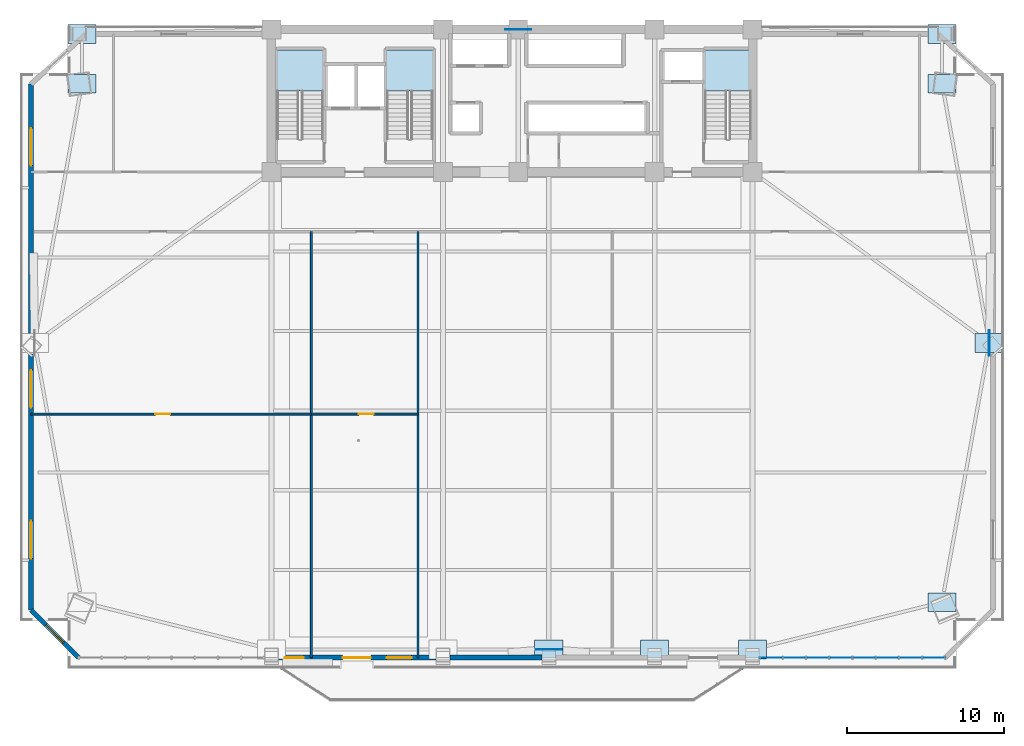
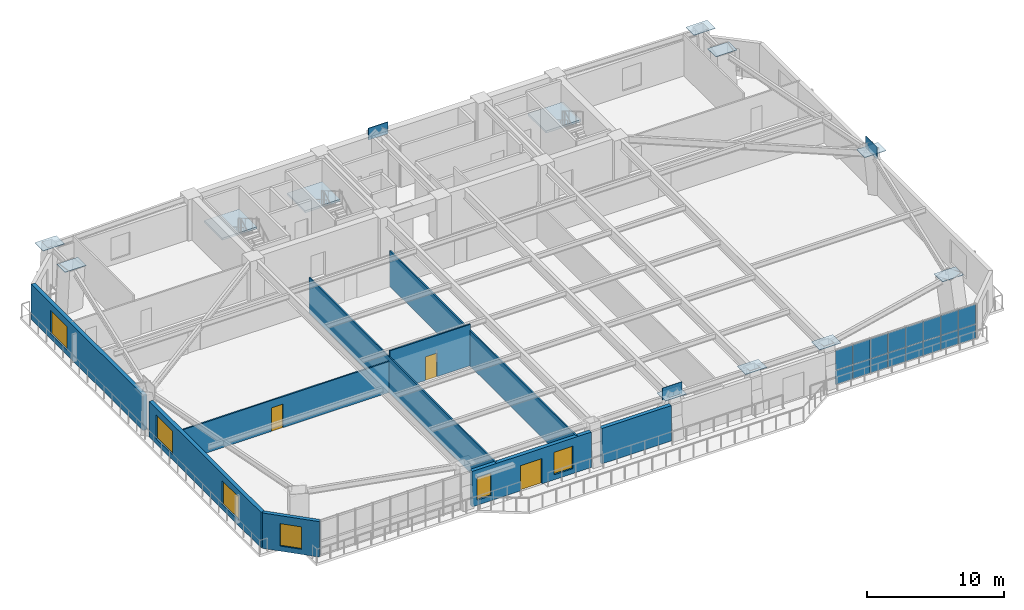
# One storey, part 7 of 15: 28 plates, 9 walls, 6 windows, 3 doors, 3 slabs, 9 openings, 4 elements without a shape of their own.
"""IFC4 building model written with IfcOpenShell, lengths in metres."""

from ifc_helpers import new_model, si_unit, direction, frame, frame_2d, origin, origin_2d, place, context, subcontext, project, spatial, polyline, rectangle, outline, extrude, source, transform, mapped, material, layer, layer_set, type_object, element, fill, aggregate, save


model = new_model("IFC4")

# Units and contexts
model_context = context("Model", 3, precision=1e-05, world=origin(), true_north=direction((0.0, 1.0)))
body_context = subcontext(model_context, "Body", "Model", "MODEL_VIEW")
ifc_project = project(units=[si_unit("LENGTHUNIT", "METRE"), si_unit("AREAUNIT", "SQUARE_METRE"), si_unit("VOLUMEUNIT", "CUBIC_METRE"), si_unit("PLANEANGLEUNIT", "RADIAN"), si_unit("MASSUNIT", "GRAM", prefix="KILO")], contexts=[model_context])

# Site, building, storey
site_placement = place(None, origin())
site = spatial("IfcSite", under=ifc_project, at=site_placement, CompositionType="ELEMENT")
building_placement = place(site_placement, origin())
building = spatial("IfcBuilding", under=site, at=building_placement, Name="Giltprow Tower", CompositionType="ELEMENT")
storey_placement = place(building_placement, frame((0.0, 0.0, 107.5)))
storey = spatial("IfcBuildingStorey", under=building, at=storey_placement, Name="L26", CompositionType="ELEMENT", Elevation=107.5)

# Stair, slab
ifc_material_1 = material(Name="Concrete C40", Category="concrete")
stair_type_1 = type_object("IfcStairType", Name="STR-ST-1", PredefinedType="HALF_TURN_STAIR", material=ifc_material_1)
stair_1_placement = place(storey_placement, origin())
stair_1 = element("IfcStair", 1, at=stair_1_placement, inside=storey, type_object=stair_type_1, Name="L26 Core Exit Stair ST-1", PredefinedType="HALF_TURN_STAIR")
ifc_layer_1 = layer(ifc_material_1, 0.179931640625, Name="Concrete C40")
ifc_layer_set_1 = layer_set([ifc_layer_1], Name="Concrete C40")
slab_type_1 = type_object("IfcSlabType", Name="SLD-ST-1", PredefinedType="LANDING", material=ifc_layer_set_1)
slab_1_placement = place(storey_placement, frame((0.0, 0.0, 1.77001953125)))
slab_1 = element("IfcSlab", 2, at=slab_1_placement, type_object=slab_type_1, Name="ST-1 landing 1", PredefinedType="LANDING", context=body_context, shape_type="SweptSolid", body=[
    extrude(outline(polyline([(23.159912109375, 42.6298828125), (23.159912109375, 45.25), (20.199951171875, 45.25), (20.199951171875, 42.6298828125), (23.159912109375, 42.6298828125)])), origin(), (0.0, 0.0, 1.0), 0.179931640625),
])
aggregate(stair_1, [slab_1])

stair_type_2 = type_object("IfcStairType", Name="STR-ST-2", PredefinedType="HALF_TURN_STAIR", material=ifc_material_1)
stair_2_placement = place(storey_placement, origin())
stair_2 = element("IfcStair", 3, at=stair_2_placement, inside=storey, type_object=stair_type_2, Name="L26 Core Exit Stair ST-2", PredefinedType="HALF_TURN_STAIR")
ifc_layer_2 = layer(ifc_material_1, 0.18798828125, Name="Concrete C40")
ifc_layer_set_2 = layer_set([ifc_layer_2], Name="Concrete C40")
slab_type_2 = type_object("IfcSlabType", Name="SLD-ST-2", PredefinedType="LANDING", material=ifc_layer_set_2)
slab_2_placement = place(storey_placement, frame((0.0, 0.0, 1.761962890625)))
slab_2 = element("IfcSlab", 4, at=slab_2_placement, type_object=slab_type_2, Name="ST-2 landing 1", PredefinedType="LANDING", context=body_context, shape_type="SweptSolid", body=[
    extrude(outline(polyline([(30.159912109375, 42.6298828125), (30.159912109375, 45.25), (27.199951171875, 45.25), (27.199951171875, 42.6298828125), (30.159912109375, 42.6298828125)])), origin(), (0.0, 0.0, 1.0), 0.18798828125),
])
aggregate(stair_2, [slab_2])

stair_type_3 = type_object("IfcStairType", Name="STR-ST-3", PredefinedType="HALF_TURN_STAIR", material=ifc_material_1)
stair_3_placement = place(storey_placement, origin())
stair_3 = element("IfcStair", 5, at=stair_3_placement, inside=storey, type_object=stair_type_3, Name="L26 Core Exit Stair ST-3", PredefinedType="HALF_TURN_STAIR")
ifc_layer_3 = layer(ifc_material_1, 0.196044921875, Name="Concrete C40")
ifc_layer_set_3 = layer_set([ifc_layer_3], Name="Concrete C40")
slab_type_3 = type_object("IfcSlabType", Name="SLD-ST-3", PredefinedType="LANDING", material=ifc_layer_set_3)
slab_3_placement = place(storey_placement, frame((0.0, 0.0, 1.75390625)))
slab_3 = element("IfcSlab", 6, at=slab_3_placement, type_object=slab_type_3, Name="ST-3 landing 1", PredefinedType="LANDING", context=body_context, shape_type="SweptSolid", body=[
    extrude(outline(polyline([(50.4599609375, 42.6298828125), (50.4599609375, 45.25), (47.5, 45.25), (47.5, 42.6298828125), (50.4599609375, 42.6298828125)])), origin(), (0.0, 0.0, 1.0), 0.196044921875),
])
aggregate(stair_3, [slab_3])

# Plates
ifc_material_2 = material(Name="Structural steel Q420GJC", Category="steel")
plate_type_1 = type_object("IfcPlateType", Name="PLT-NODE-CKN1", PredefinedType="USERDEFINED", material=ifc_material_2)
shared_shape_1 = source(origin(), body_context, "Body", "SweptSolid", [
    extrude(rectangle(XDim=1.800048828125, YDim=1.199951171875, at=origin_2d()), origin(), (0.0, 0.0, 1.0), 0.044921875),
])
for number, where, z_axis, x_axis, name in (
    (7, (62.638916015625, 10.007080078125, 3.637451171875), (0.0, 0.0, 1.0), (1.0, 0.0, 0.0), "CKN1 Column Taper Splice Node L26-MC_SE"),
    (8, (7.760986328125, 43.0830078125, 3.637451171875), (0.0, 0.0, 1.0), (1.0, 0.0, 0.0), "CKN1 Column Taper Splice Node L26-MC_NW"),
    (9, (62.638916015625, 43.0830078125, 3.637451171875), (0.0, 0.0, 1.0), (1.0, 0.0, 0.0), "CKN1 Column Taper Splice Node L26-MC_NE"),
    (10, (37.550048828125, 6.989990234375, 3.637451171875), (0.0, 0.0, 1.0), (1.0, 0.0, 0.0), "CKN1 Column Taper Splice Node L26-S_MID"),
    (11, (44.300048828125, 6.989990234375, 3.637451171875), (0.0, 0.0, 1.0), (1.0, 0.0, 0.0), "CKN1 Column Taper Splice Node L26-S3"),
    (12, (50.550048828125, 6.989990234375, 3.637451171875), (0.0, 0.0, 1.0), (1.0, 0.0, 0.0), "CKN1 Column Taper Splice Node L26-S4"),
    (13, (65.656005859375, 26.544921875, 3.637451171875), (0.0, 0.0, 1.0), (1.0, 0.0, 0.0), "CKN1 Column Taper Splice Node L26-E_MID"),
    (14, (7.760986328125, 46.25, 3.637451171875), (0.0, 0.0, 1.0), (1.0, 0.0, 0.0), "CKN1 Column Taper Splice Node L26-N_W"),
    (15, (62.638916015625, 46.25, 3.637451171875), (0.0, 0.0, 1.0), (1.0, 0.0, 0.0), "CKN1 Column Taper Splice Node L26-N_E"),
):
    element("IfcPlate", number, at=place(storey_placement, frame(where, z_axis=z_axis, x_axis=x_axis)), inside=storey, type_object=plate_type_1, Name=name, ObjectType="SPLICE", PredefinedType="USERDEFINED", context=body_context, shape_type="MappedRepresentation", body=[
        mapped(shared_shape_1, transform((0.0, 0.0, 0.0), x_axis=(1.0, 0.0, 0.0), y_axis=(0.0, 1.0, 0.0), z_axis=(0.0, 0.0, 1.0), scale=1.0)),
    ])
plate_type_2 = type_object("IfcPlateType", Name="PLT-NODE-MBN2", PredefinedType="USERDEFINED", material=ifc_material_2)
shared_shape_2 = source(origin(), body_context, "Body", "SweptSolid", [
    extrude(rectangle(XDim=1.64990234375, YDim=0.044921875, at=origin_2d()), origin(), (0.0, 0.0, 1.0), 1.050048828125),
])
for number, where, z_axis, x_axis, name in (
    (16, (37.550048828125, 6.989990234375, 3.375), (0.0, 0.0, 1.0), (1.0, 0.0, 0.0), "Mega-Brace Node L26-S-LB"),
    (17, (35.60009765625, 46.550048828125, 3.23486328125), (0.0, 0.0, 1.0), (1.0, 0.0, 0.0), "Mega-Brace Node L26-N-LB"),
    (18, (65.656005859375, 26.544921875, 3.375), (0.0, 0.0, 1.0), (0.0, 1.0, 0.0), "Mega-Brace Node L26-E-RB"),
):
    element("IfcPlate", number, at=place(storey_placement, frame(where, z_axis=z_axis, x_axis=x_axis)), inside=storey, type_object=plate_type_2, Name=name, ObjectType="GUSSET", PredefinedType="USERDEFINED", context=body_context, shape_type="MappedRepresentation", body=[
        mapped(shared_shape_2, transform((0.0, 0.0, 0.0), x_axis=(1.0, 0.0, 0.0), y_axis=(0.0, 1.0, 0.0), z_axis=(0.0, 0.0, 1.0), scale=1.0)),
    ])

# Curtain wall, plates
ifc_material_3 = material(Name="Anodized bronze", Category="metal")
ifc_layer_4 = layer(ifc_material_3, 0.179931640625, Name="Anodized bronze")
ifc_layer_set_4 = layer_set([ifc_layer_4], Name="Anodized bronze")
curtain_wall_type = type_object("IfcCurtainWallType", Name="CW-OFF-RECESSED", PredefinedType="NOTDEFINED", material=ifc_layer_set_4)
curtain_wall_placement = place(storey_placement, origin())
curtain_wall = element("IfcCurtainWall", 19, at=curtain_wall_placement, inside=storey, type_object=curtain_wall_type, Name="L26 South Recessed Curtain Wall 6", PredefinedType="NOTDEFINED")
ifc_material_4 = material(Name="Insulated glass", Category="glass")
plate_type_3 = type_object("IfcPlateType", Name="CW-PANEL-IGU-28", PredefinedType="CURTAIN_PANEL", material=ifc_material_4)
shared_shape_3 = source(origin(), body_context, "Body", "SweptSolid", [
    extrude(rectangle(XDim=1.450927734375, YDim=0.028076171875, at=origin_2d()), origin(), (0.0, 0.0, 1.0), 1.259033203125),
])
plate_1_placement = place(storey_placement, frame((51.739990234375, 6.4619140625, 0.0546875), z_axis=(0.0, 0.0, 1.0), x_axis=(1.0, 0.0, 0.0)))
plate_1 = element("IfcPlate", 20, at=plate_1_placement, type_object=plate_type_3, Name="L26 South Recessed Curtain Wall 6 Glazing Panel 1-1", PredefinedType="CURTAIN_PANEL", context=body_context, shape_type="MappedRepresentation", body=[
    mapped(shared_shape_3, transform((0.0, 0.0, 0.0), x_axis=(1.0, 0.0, 0.0), y_axis=(0.0, 1.0, 0.0), z_axis=(0.0, 0.0, 1.0), scale=1.0)),
])
plate_2_placement = place(storey_placement, frame((53.220947265625, 6.4619140625, 0.0546875), z_axis=(0.0, 0.0, 1.0), x_axis=(1.0, 0.0, 0.0)))
plate_2 = element("IfcPlate", 21, at=plate_2_placement, type_object=plate_type_3, Name="L26 South Recessed Curtain Wall 6 Glazing Panel 2-1", PredefinedType="CURTAIN_PANEL", context=body_context, shape_type="MappedRepresentation", body=[
    mapped(shared_shape_3, transform((0.0, 0.0, 0.0), x_axis=(1.0, 0.0, 0.0), y_axis=(0.0, 1.0, 0.0), z_axis=(0.0, 0.0, 1.0), scale=1.0)),
])
plate_3_placement = place(storey_placement, frame((54.702880859375, 6.4619140625, 0.0546875), z_axis=(0.0, 0.0, 1.0), x_axis=(1.0, 0.0, 0.0)))
plate_3 = element("IfcPlate", 22, at=plate_3_placement, type_object=plate_type_3, Name="L26 South Recessed Curtain Wall 6 Glazing Panel 3-1", PredefinedType="CURTAIN_PANEL", context=body_context, shape_type="MappedRepresentation", body=[
    mapped(shared_shape_3, transform((0.0, 0.0, 0.0), x_axis=(1.0, 0.0, 0.0), y_axis=(0.0, 1.0, 0.0), z_axis=(0.0, 0.0, 1.0), scale=1.0)),
])
plate_4_placement = place(storey_placement, frame((56.18408203125, 6.4619140625, 0.0546875), z_axis=(0.0, 0.0, 1.0), x_axis=(1.0, 0.0, 0.0)))
plate_4 = element("IfcPlate", 23, at=plate_4_placement, type_object=plate_type_3, Name="L26 South Recessed Curtain Wall 6 Glazing Panel 4-1", PredefinedType="CURTAIN_PANEL", context=body_context, shape_type="MappedRepresentation", body=[
    mapped(shared_shape_3, transform((0.0, 0.0, 0.0), x_axis=(1.0, 0.0, 0.0), y_axis=(0.0, 1.0, 0.0), z_axis=(0.0, 0.0, 1.0), scale=1.0)),
])
plate_5_placement = place(storey_placement, frame((57.6640625, 6.4619140625, 0.0546875), z_axis=(0.0, 0.0, 1.0), x_axis=(1.0, 0.0, 0.0)))
plate_5 = element("IfcPlate", 24, at=plate_5_placement, type_object=plate_type_3, Name="L26 South Recessed Curtain Wall 6 Glazing Panel 5-1", PredefinedType="CURTAIN_PANEL", context=body_context, shape_type="MappedRepresentation", body=[
    mapped(shared_shape_3, transform((0.0, 0.0, 0.0), x_axis=(1.0, 0.0, 0.0), y_axis=(0.0, 1.0, 0.0), z_axis=(0.0, 0.0, 1.0), scale=1.0)),
])
plate_6_placement = place(storey_placement, frame((59.14501953125, 6.4619140625, 0.0546875), z_axis=(0.0, 0.0, 1.0), x_axis=(1.0, 0.0, 0.0)))
plate_6 = element("IfcPlate", 25, at=plate_6_placement, type_object=plate_type_3, Name="L26 South Recessed Curtain Wall 6 Glazing Panel 6-1", PredefinedType="CURTAIN_PANEL", context=body_context, shape_type="MappedRepresentation", body=[
    mapped(shared_shape_3, transform((0.0, 0.0, 0.0), x_axis=(1.0, 0.0, 0.0), y_axis=(0.0, 1.0, 0.0), z_axis=(0.0, 0.0, 1.0), scale=1.0)),
])
plate_7_placement = place(storey_placement, frame((60.626953125, 6.4619140625, 0.0546875), z_axis=(0.0, 0.0, 1.0), x_axis=(1.0, 0.0, 0.0)))
plate_7 = element("IfcPlate", 26, at=plate_7_placement, type_object=plate_type_3, Name="L26 South Recessed Curtain Wall 6 Glazing Panel 7-1", PredefinedType="CURTAIN_PANEL", context=body_context, shape_type="MappedRepresentation", body=[
    mapped(shared_shape_3, transform((0.0, 0.0, 0.0), x_axis=(1.0, 0.0, 0.0), y_axis=(0.0, 1.0, 0.0), z_axis=(0.0, 0.0, 1.0), scale=1.0)),
])
plate_8_placement = place(storey_placement, frame((62.10791015625, 6.4619140625, 0.0546875), z_axis=(0.0, 0.0, 1.0), x_axis=(1.0, 0.0, 0.0)))
plate_8 = element("IfcPlate", 27, at=plate_8_placement, type_object=plate_type_3, Name="L26 South Recessed Curtain Wall 6 Glazing Panel 8-1", PredefinedType="CURTAIN_PANEL", context=body_context, shape_type="MappedRepresentation", body=[
    mapped(shared_shape_3, transform((0.0, 0.0, 0.0), x_axis=(1.0, 0.0, 0.0), y_axis=(0.0, 1.0, 0.0), z_axis=(0.0, 0.0, 1.0), scale=1.0)),
])
shared_shape_4 = source(origin(), body_context, "Body", "SweptSolid", [
    extrude(rectangle(XDim=1.450927734375, YDim=0.028076171875, at=origin_2d()), origin(), (0.0, 0.0, 1.0), 1.764892578125),
])
plate_9_placement = place(storey_placement, frame((51.739990234375, 6.4619140625, 1.341796875), z_axis=(0.0, 0.0, 1.0), x_axis=(1.0, 0.0, 0.0)))
plate_9 = element("IfcPlate", 28, at=plate_9_placement, type_object=plate_type_3, Name="L26 South Recessed Curtain Wall 6 Glazing Panel 1-2", PredefinedType="CURTAIN_PANEL", context=body_context, shape_type="MappedRepresentation", body=[
    mapped(shared_shape_4, transform((0.0, 0.0, 0.0), x_axis=(1.0, 0.0, 0.0), y_axis=(0.0, 1.0, 0.0), z_axis=(0.0, 0.0, 1.0), scale=1.0)),
])
plate_10_placement = place(storey_placement, frame((53.220947265625, 6.4619140625, 1.341796875), z_axis=(0.0, 0.0, 1.0), x_axis=(1.0, 0.0, 0.0)))
plate_10 = element("IfcPlate", 29, at=plate_10_placement, type_object=plate_type_3, Name="L26 South Recessed Curtain Wall 6 Glazing Panel 2-2", PredefinedType="CURTAIN_PANEL", context=body_context, shape_type="MappedRepresentation", body=[
    mapped(shared_shape_4, transform((0.0, 0.0, 0.0), x_axis=(1.0, 0.0, 0.0), y_axis=(0.0, 1.0, 0.0), z_axis=(0.0, 0.0, 1.0), scale=1.0)),
])
plate_11_placement = place(storey_placement, frame((54.702880859375, 6.4619140625, 1.341796875), z_axis=(0.0, 0.0, 1.0), x_axis=(1.0, 0.0, 0.0)))
plate_11 = element("IfcPlate", 30, at=plate_11_placement, type_object=plate_type_3, Name="L26 South Recessed Curtain Wall 6 Glazing Panel 3-2", PredefinedType="CURTAIN_PANEL", context=body_context, shape_type="MappedRepresentation", body=[
    mapped(shared_shape_4, transform((0.0, 0.0, 0.0), x_axis=(1.0, 0.0, 0.0), y_axis=(0.0, 1.0, 0.0), z_axis=(0.0, 0.0, 1.0), scale=1.0)),
])
plate_12_placement = place(storey_placement, frame((56.18408203125, 6.4619140625, 1.341796875), z_axis=(0.0, 0.0, 1.0), x_axis=(1.0, 0.0, 0.0)))
plate_12 = element("IfcPlate", 31, at=plate_12_placement, type_object=plate_type_3, Name="L26 South Recessed Curtain Wall 6 Glazing Panel 4-2", PredefinedType="CURTAIN_PANEL", context=body_context, shape_type="MappedRepresentation", body=[
    mapped(shared_shape_4, transform((0.0, 0.0, 0.0), x_axis=(1.0, 0.0, 0.0), y_axis=(0.0, 1.0, 0.0), z_axis=(0.0, 0.0, 1.0), scale=1.0)),
])
plate_13_placement = place(storey_placement, frame((57.6640625, 6.4619140625, 1.341796875), z_axis=(0.0, 0.0, 1.0), x_axis=(1.0, 0.0, 0.0)))
plate_13 = element("IfcPlate", 32, at=plate_13_placement, type_object=plate_type_3, Name="L26 South Recessed Curtain Wall 6 Glazing Panel 5-2", PredefinedType="CURTAIN_PANEL", context=body_context, shape_type="MappedRepresentation", body=[
    mapped(shared_shape_4, transform((0.0, 0.0, 0.0), x_axis=(1.0, 0.0, 0.0), y_axis=(0.0, 1.0, 0.0), z_axis=(0.0, 0.0, 1.0), scale=1.0)),
])
plate_14_placement = place(storey_placement, frame((59.14501953125, 6.4619140625, 1.341796875), z_axis=(0.0, 0.0, 1.0), x_axis=(1.0, 0.0, 0.0)))
plate_14 = element("IfcPlate", 33, at=plate_14_placement, type_object=plate_type_3, Name="L26 South Recessed Curtain Wall 6 Glazing Panel 6-2", PredefinedType="CURTAIN_PANEL", context=body_context, shape_type="MappedRepresentation", body=[
    mapped(shared_shape_4, transform((0.0, 0.0, 0.0), x_axis=(1.0, 0.0, 0.0), y_axis=(0.0, 1.0, 0.0), z_axis=(0.0, 0.0, 1.0), scale=1.0)),
])
plate_15_placement = place(storey_placement, frame((60.626953125, 6.4619140625, 1.341796875), z_axis=(0.0, 0.0, 1.0), x_axis=(1.0, 0.0, 0.0)))
plate_15 = element("IfcPlate", 34, at=plate_15_placement, type_object=plate_type_3, Name="L26 South Recessed Curtain Wall 6 Glazing Panel 7-2", PredefinedType="CURTAIN_PANEL", context=body_context, shape_type="MappedRepresentation", body=[
    mapped(shared_shape_4, transform((0.0, 0.0, 0.0), x_axis=(1.0, 0.0, 0.0), y_axis=(0.0, 1.0, 0.0), z_axis=(0.0, 0.0, 1.0), scale=1.0)),
])
plate_16_placement = place(storey_placement, frame((62.10791015625, 6.4619140625, 1.341796875), z_axis=(0.0, 0.0, 1.0), x_axis=(1.0, 0.0, 0.0)))
plate_16 = element("IfcPlate", 35, at=plate_16_placement, type_object=plate_type_3, Name="L26 South Recessed Curtain Wall 6 Glazing Panel 8-2", PredefinedType="CURTAIN_PANEL", context=body_context, shape_type="MappedRepresentation", body=[
    mapped(shared_shape_4, transform((0.0, 0.0, 0.0), x_axis=(1.0, 0.0, 0.0), y_axis=(0.0, 1.0, 0.0), z_axis=(0.0, 0.0, 1.0), scale=1.0)),
])
aggregate(curtain_wall, [plate_1, plate_9, plate_2, plate_10, plate_3, plate_11, plate_4, plate_12, plate_5, plate_13, plate_6, plate_14, plate_7, plate_15, plate_8, plate_16])

# Wall, opening, window
ifc_material_5 = material(Name="Precast concrete C40", Category="concrete")
ifc_layer_5 = layer(ifc_material_5, 0.300048828125, Name="Precast concrete C40")
ifc_layer_set_5 = layer_set([ifc_layer_5], Name="Precast concrete C40")
wall_type_1 = type_object("IfcWallType", Name="EW-NOTCH-CHAMFER-300", PredefinedType="SOLIDWALL", material=ifc_layer_set_5)
wall_1_placement = place(storey_placement, frame((4.510009765625, 9.5048828125, 0.0), z_axis=(0.0, 0.0, 1.0), x_axis=(0.707106781187, -0.707106781187, 0.0)))
wall_1 = element("IfcWall", 36, at=wall_1_placement, inside=storey, type_object=wall_type_1, Name="L26 Corner Notch Wall SW", PredefinedType="SOLIDWALL", context=body_context, shape_type="SweptSolid", body=[
    extrude(rectangle(XDim=4.303466796875, YDim=0.300048828125, at=frame_2d((2.15185546875, 0.0))), origin(), (0.0, 0.0, 1.0), 3.159912109375),
])
opening_1_placement = place(wall_1_placement, frame((1.35205078125, 0.0, 0.449951171875)))
opening_1 = element("IfcOpeningElement", 37, at=opening_1_placement, cuts=wall_1, Name="Opening WN17", PredefinedType="OPENING", context=body_context, shape_type="SweptSolid", body=[
    extrude(rectangle(XDim=1.60009765625, YDim=2.0, at=frame_2d((0.800048828125, 1.0))), frame((0.0, 0.159912109375, 0.0), z_axis=(0.0, -1.0, 0.0), x_axis=(1.0, 0.0, 0.0)), (0.0, 0.0, 1.0), 0.320068359375),
])
window_type_1 = type_object("IfcWindowType", Name="WN-COR-1600x2000", PartitioningType="SINGLE_PANEL", PredefinedType="WINDOW", material=ifc_material_4)
shared_shape_5 = source(origin(), body_context, "Body", "SweptSolid", [
    extrude(rectangle(XDim=1.60009765625, YDim=2.0, at=frame_2d((0.800048828125, 1.0))), frame((0.0, 0.030029296875, 0.0), z_axis=(0.0, -1.0, 0.0), x_axis=(1.0, 0.0, 0.0)), (0.0, 0.0, 1.0), 0.06005859375),
])
window_1_placement = place(opening_1_placement, origin())
window_1 = element("IfcWindow", 38, at=window_1_placement, inside=storey, type_object=window_type_1, Name="L26 Corner Notch Window SW", OverallHeight=2.0, OverallWidth=1.60009765625, PartitioningType="SINGLE_PANEL", PredefinedType="WINDOW", context=body_context, shape_type="MappedRepresentation", body=[
    mapped(shared_shape_5, transform((0.0, 0.0, 0.0), x_axis=(1.0, 0.0, 0.0), y_axis=(0.0, 1.0, 0.0), z_axis=(0.0, 0.0, 1.0), scale=1.0)),
])
fill(opening_1, window_1)

# Wall, openings, windows, door
ifc_layer_6 = layer(ifc_material_5, 0.320068359375, Name="Precast concrete C40")
ifc_layer_set_6 = layer_set([ifc_layer_6], Name="Precast concrete C40")
wall_type_2 = type_object("IfcWallType", Name="EW-TOW-STONE-320", PredefinedType="SOLIDWALL", material=ifc_layer_set_6)
wall_2_placement = place(storey_placement, frame((20.300048828125, 6.4619140625, 0.0), z_axis=(0.0, 0.0, 1.0), x_axis=(1.0, 0.0, 0.0)))
wall_2 = element("IfcWall", 39, at=wall_2_placement, inside=storey, type_object=wall_type_2, Name="L26 South Expressed Frame Wall 2", PredefinedType="SOLIDWALL", context=body_context, shape_type="SweptSolid", body=[
    extrude(rectangle(XDim=10.050048828125, YDim=0.320068359375, at=frame_2d((5.02490234375, 0.0))), origin(), (0.0, 0.0, 1.0), 3.159912109375),
])
opening_2_placement = place(wall_2_placement, frame((4.10009765625, 0.0, 0.0)))
opening_2 = element("IfcOpeningElement", 40, at=opening_2_placement, cuts=wall_2, Name="Opening ED25", PredefinedType="OPENING", context=body_context, shape_type="SweptSolid", body=[
    extrude(rectangle(XDim=1.800048828125, YDim=2.25, at=frame_2d((0.89990234375, 1.125))), frame((0.0, 0.169921875, 0.0), z_axis=(0.0, -1.0, 0.0), x_axis=(1.0, 0.0, 0.0)), (0.0, 0.0, 1.0), 0.340087890625),
])
opening_3_placement = place(wall_2_placement, frame((0.4150390625, 0.0, 0.449951171875)))
opening_3 = element("IfcOpeningElement", 41, at=opening_3_placement, cuts=wall_2, Name="Opening WN11", PredefinedType="OPENING", context=body_context, shape_type="SweptSolid", body=[
    extrude(rectangle(XDim=1.199951171875, YDim=2.0, at=frame_2d((0.60009765625, 1.0))), frame((0.0, 0.169921875, 0.0), z_axis=(0.0, -1.0, 0.0), x_axis=(1.0, 0.0, 0.0)), (0.0, 0.0, 1.0), 0.340087890625),
])
opening_4_placement = place(wall_2_placement, frame((6.89990234375, 0.0, 0.449951171875)))
opening_4 = element("IfcOpeningElement", 42, at=opening_4_placement, cuts=wall_2, Name="Opening WN17", PredefinedType="OPENING", context=body_context, shape_type="SweptSolid", body=[
    extrude(rectangle(XDim=1.60009765625, YDim=2.0, at=frame_2d((0.800048828125, 1.0))), frame((0.0, 0.169921875, 0.0), z_axis=(0.0, -1.0, 0.0), x_axis=(1.0, 0.0, 0.0)), (0.0, 0.0, 1.0), 0.340087890625),
])
window_2_placement = place(opening_4_placement, origin())
window_2 = element("IfcWindow", 43, at=window_2_placement, inside=storey, type_object=window_type_1, Name="L26 South Window 2B", OverallHeight=2.0, OverallWidth=1.60009765625, PartitioningType="SINGLE_PANEL", PredefinedType="WINDOW", context=body_context, shape_type="MappedRepresentation", body=[
    mapped(shared_shape_5, transform((0.0, 0.0, 0.0), x_axis=(1.0, 0.0, 0.0), y_axis=(0.0, 1.0, 0.0), z_axis=(0.0, 0.0, 1.0), scale=1.0)),
])
fill(opening_4, window_2)
ifc_material_6 = material(Name="Anodized bronze and glass", Category="glass")
door_type_1 = type_object("IfcDoorType", Name="DR-BALC-SLIDE-1800", OperationType="SLIDING_TO_LEFT", PredefinedType="DOOR", material=ifc_material_6)
shared_shape_6 = source(origin(), body_context, "Body", "SweptSolid", [
    extrude(rectangle(XDim=1.800048828125, YDim=2.25, at=frame_2d((0.89990234375, 1.125))), frame((0.0, 0.02490234375, 0.0), z_axis=(0.0, -1.0, 0.0), x_axis=(1.0, 0.0, 0.0)), (0.0, 0.0, 1.0), 0.050048828125),
])
door_1_placement = place(opening_2_placement, origin())
door_1 = element("IfcDoor", 44, at=door_1_placement, inside=storey, type_object=door_type_1, Name="L26 Waterfront Balcony Sliding Door 1", OperationType="SLIDING_TO_LEFT", OverallHeight=2.25, OverallWidth=1.800048828125, PredefinedType="DOOR", context=body_context, shape_type="MappedRepresentation", body=[
    mapped(shared_shape_6, transform((0.0, 0.0, 0.0), x_axis=(1.0, 0.0, 0.0), y_axis=(0.0, 1.0, 0.0), z_axis=(0.0, 0.0, 1.0), scale=1.0)),
])
fill(opening_2, door_1)
window_type_2 = type_object("IfcWindowType", Name="WN-LANCET-1200x2000", PartitioningType="SINGLE_PANEL", PredefinedType="WINDOW", material=ifc_material_4)
shared_shape_7 = source(origin(), body_context, "Body", "SweptSolid", [
    extrude(rectangle(XDim=1.199951171875, YDim=2.0, at=frame_2d((0.60009765625, 1.0))), frame((0.0, 0.030029296875, 0.0), z_axis=(0.0, -1.0, 0.0), x_axis=(1.0, 0.0, 0.0)), (0.0, 0.0, 1.0), 0.06005859375),
])
window_3_placement = place(opening_3_placement, origin())
window_3 = element("IfcWindow", 45, at=window_3_placement, inside=storey, type_object=window_type_2, Name="L26 South Window 2A", OverallHeight=2.0, OverallWidth=1.199951171875, PartitioningType="SINGLE_PANEL", PredefinedType="WINDOW", context=body_context, shape_type="MappedRepresentation", body=[
    mapped(shared_shape_7, transform((0.0, 0.0, 0.0), x_axis=(1.0, 0.0, 0.0), y_axis=(0.0, 1.0, 0.0), z_axis=(0.0, 0.0, 1.0), scale=1.0)),
])
fill(opening_3, window_3)

# Wall
wall_3_placement = place(storey_placement, frame((31.25, 6.4619140625, 0.0), z_axis=(0.0, 0.0, 1.0), x_axis=(1.0, 0.0, 0.0)))
element("IfcWall", 46, at=wall_3_placement, inside=storey, type_object=wall_type_2, Name="L26 South Expressed Frame Wall 3", PredefinedType="SOLIDWALL", context=body_context, shape_type="SweptSolid", body=[
    extrude(rectangle(XDim=5.85009765625, YDim=0.320068359375, at=frame_2d((2.925048828125, 0.0))), origin(), (0.0, 0.0, 1.0), 3.159912109375),
])

# Wall, openings, windows
wall_4_placement = place(storey_placement, frame((4.510009765625, 9.5048828125, 0.0), z_axis=(0.0, 0.0, 1.0), x_axis=(0.0, 1.0, 0.0)))
wall_4 = element("IfcWall", 47, at=wall_4_placement, inside=storey, type_object=wall_type_2, Name="L26 W Wing Masonry Wall 1", PredefinedType="SOLIDWALL", context=body_context, shape_type="SweptSolid", body=[
    extrude(rectangle(XDim=16.3251953125, YDim=0.320068359375, at=frame_2d((8.16259765625, 0.0))), origin(), (0.0, 0.0, 1.0), 3.159912109375),
])
opening_5_placement = place(wall_4_placement, frame((3.284912109375, 0.0, 0.449951171875)))
opening_5 = element("IfcOpeningElement", 48, at=opening_5_placement, cuts=wall_4, Name="Opening WN29", PredefinedType="OPENING", context=body_context, shape_type="SweptSolid", body=[
    extrude(rectangle(XDim=2.39990234375, YDim=2.10009765625, at=frame_2d((1.199951171875, 1.050048828125))), frame((0.0, 0.169921875, 0.0), z_axis=(0.0, -1.0, 0.0), x_axis=(1.0, 0.0, 0.0)), (0.0, 0.0, 1.0), 0.340087890625),
])
opening_6_placement = place(wall_4_placement, frame((12.903076171875, 0.0, 0.449951171875)))
opening_6 = element("IfcOpeningElement", 49, at=opening_6_placement, cuts=wall_4, Name="Opening WN29", PredefinedType="OPENING", context=body_context, shape_type="SweptSolid", body=[
    extrude(rectangle(XDim=2.39990234375, YDim=2.10009765625, at=frame_2d((1.199951171875, 1.050048828125))), frame((0.0, 0.169921875, 0.0), z_axis=(0.0, -1.0, 0.0), x_axis=(1.0, 0.0, 0.0)), (0.0, 0.0, 1.0), 0.340087890625),
])
window_type_3 = type_object("IfcWindowType", Name="WN-OFF-2400x2100", PartitioningType="DOUBLE_PANEL_VERTICAL", PredefinedType="WINDOW", material=ifc_material_4)
shared_shape_8 = source(origin(), body_context, "Body", "SweptSolid", [
    extrude(rectangle(XDim=2.39990234375, YDim=2.10009765625, at=frame_2d((1.199951171875, 1.050048828125))), frame((0.0, 0.030029296875, 0.0), z_axis=(0.0, -1.0, 0.0), x_axis=(1.0, 0.0, 0.0)), (0.0, 0.0, 1.0), 0.06005859375),
])
window_4_placement = place(opening_5_placement, origin())
window_4 = element("IfcWindow", 50, at=window_4_placement, inside=storey, type_object=window_type_3, Name="L26 W Wing Window 1-1A", OverallHeight=2.10009765625, OverallWidth=2.39990234375, PartitioningType="SINGLE_PANEL", PredefinedType="WINDOW", context=body_context, shape_type="MappedRepresentation", body=[
    mapped(shared_shape_8, transform((0.0, 0.0, 0.0), x_axis=(1.0, 0.0, 0.0), y_axis=(0.0, 1.0, 0.0), z_axis=(0.0, 0.0, 1.0), scale=1.0)),
])
fill(opening_5, window_4)
window_5_placement = place(opening_6_placement, origin())
window_5 = element("IfcWindow", 51, at=window_5_placement, inside=storey, type_object=window_type_3, Name="L26 W Wing Window 1-1B", OverallHeight=2.10009765625, OverallWidth=2.39990234375, PartitioningType="SINGLE_PANEL", PredefinedType="WINDOW", context=body_context, shape_type="MappedRepresentation", body=[
    mapped(shared_shape_8, transform((0.0, 0.0, 0.0), x_axis=(1.0, 0.0, 0.0), y_axis=(0.0, 1.0, 0.0), z_axis=(0.0, 0.0, 1.0), scale=1.0)),
])
fill(opening_6, window_5)

# Wall, opening, window
wall_5_placement = place(storey_placement, frame((4.510009765625, 26.72998046875, 0.0), z_axis=(0.0, 0.0, 1.0), x_axis=(0.0, 1.0, 0.0)))
wall_5 = element("IfcWall", 52, at=wall_5_placement, inside=storey, type_object=wall_type_2, Name="L26 W Wing Masonry Wall 2", PredefinedType="SOLIDWALL", context=body_context, shape_type="SweptSolid", body=[
    extrude(rectangle(XDim=16.325927734375, YDim=0.320068359375, at=frame_2d((8.1630859375, 0.0))), origin(), (0.0, 0.0, 1.0), 3.159912109375),
])
opening_7_placement = place(wall_5_placement, frame((11.125, 0.0, 0.449951171875)))
opening_7 = element("IfcOpeningElement", 53, at=opening_7_placement, cuts=wall_5, Name="Opening WN29", PredefinedType="OPENING", context=body_context, shape_type="SweptSolid", body=[
    extrude(rectangle(XDim=2.39990234375, YDim=2.10009765625, at=frame_2d((1.199951171875, 1.050048828125))), frame((0.0, 0.169921875, 0.0), z_axis=(0.0, -1.0, 0.0), x_axis=(1.0, 0.0, 0.0)), (0.0, 0.0, 1.0), 0.340087890625),
])
window_6_placement = place(opening_7_placement, origin())
window_6 = element("IfcWindow", 54, at=window_6_placement, inside=storey, type_object=window_type_3, Name="L26 W Wing Window 2-1", OverallHeight=2.10009765625, OverallWidth=2.39990234375, PartitioningType="SINGLE_PANEL", PredefinedType="WINDOW", context=body_context, shape_type="MappedRepresentation", body=[
    mapped(shared_shape_8, transform((0.0, 0.0, 0.0), x_axis=(1.0, 0.0, 0.0), y_axis=(0.0, 1.0, 0.0), z_axis=(0.0, 0.0, 1.0), scale=1.0)),
])
fill(opening_7, window_6)

# Wall, opening, door
ifc_material_7 = material(Name="Gypsum stud partition", Category="gypsum")
ifc_layer_7 = layer(ifc_material_7, 0.1201171875, Name="Gypsum stud partition")
ifc_layer_set_7 = layer_set([ifc_layer_7], Name="Gypsum stud partition")
wall_type_3 = type_object("IfcWallType", Name="IW-ROOM-120", PredefinedType="PARTITIONING", material=ifc_layer_set_7)
wall_6_placement = place(storey_placement, frame((4.510009765625, 22.008056640625, 0.0), z_axis=(0.0, 0.0, 1.0), x_axis=(1.0, 0.0, 0.0)))
wall_6 = element("IfcWall", 55, at=wall_6_placement, inside=storey, type_object=wall_type_3, Name="L26 Office Mid Wall 1", PredefinedType="PARTITIONING", context=body_context, shape_type="SweptSolid", body=[
    extrude(rectangle(XDim=17.889892578125, YDim=0.1201171875, at=frame_2d((8.94482421875, 0.0))), origin(), (0.0, 0.0, 1.0), 2.764892578125),
])
opening_8_placement = place(wall_6_placement, frame((7.927978515625, 0.0, 0.0)))
opening_8 = element("IfcOpeningElement", 56, at=opening_8_placement, cuts=wall_6, Name="Opening ID11", PredefinedType="OPENING", context=body_context, shape_type="SweptSolid", body=[
    extrude(rectangle(XDim=0.949951171875, YDim=2.10009765625, at=frame_2d((0.47509765625, 1.050048828125))), frame((0.0, 0.070068359375, 0.0), z_axis=(0.0, -1.0, 0.0), x_axis=(1.0, 0.0, 0.0)), (0.0, 0.0, 1.0), 0.14013671875),
])
ifc_material_8 = material(Name="Engineered timber", Category="wood")
door_type_2 = type_object("IfcDoorType", Name="DR-ROOM-950", OperationType="SINGLE_SWING_RIGHT", PredefinedType="DOOR", material=ifc_material_8)
shared_shape_9 = source(origin(), body_context, "Body", "SweptSolid", [
    extrude(rectangle(XDim=0.949951171875, YDim=2.10009765625, at=frame_2d((0.47509765625, 1.050048828125))), frame((0.0, 0.02490234375, 0.0), z_axis=(0.0, -1.0, 0.0), x_axis=(1.0, 0.0, 0.0)), (0.0, 0.0, 1.0), 0.050048828125),
])
door_2_placement = place(opening_8_placement, origin())
door_2 = element("IfcDoor", 57, at=door_2_placement, inside=storey, type_object=door_type_2, Name="L26 Harbour Reading Lounge 1 Inner Door", OperationType="SINGLE_SWING_RIGHT", OverallHeight=2.10009765625, OverallWidth=0.949951171875, PredefinedType="DOOR", context=body_context, shape_type="MappedRepresentation", body=[
    mapped(shared_shape_9, transform((0.0, 0.0, 0.0), x_axis=(1.0, 0.0, 0.0), y_axis=(0.0, 1.0, 0.0), z_axis=(0.0, 0.0, 1.0), scale=1.0)),
])
fill(opening_8, door_2)

# Wall
wall_7_placement = place(storey_placement, frame((22.39990234375, 6.4619140625, 0.0), z_axis=(0.0, 0.0, 1.0), x_axis=(0.0, 1.0, 0.0)))
element("IfcWall", 58, at=wall_7_placement, inside=storey, type_object=wall_type_3, Name="L26 Office Partition 1", PredefinedType="PARTITIONING", context=body_context, shape_type="SweptSolid", body=[
    extrude(rectangle(XDim=27.18798828125, YDim=0.1201171875, at=frame_2d((13.593994140625, 0.0))), origin(), (0.0, 0.0, 1.0), 3.1650390625),
])

# Wall, opening, door
wall_8_placement = place(storey_placement, frame((22.39990234375, 22.008056640625, 0.0), z_axis=(0.0, 0.0, 1.0), x_axis=(1.0, 0.0, 0.0)))
wall_8 = element("IfcWall", 59, at=wall_8_placement, inside=storey, type_object=wall_type_3, Name="L26 Office Mid Wall 2", PredefinedType="PARTITIONING", context=body_context, shape_type="SweptSolid", body=[
    extrude(rectangle(XDim=6.800048828125, YDim=0.1201171875, at=frame_2d((3.39990234375, 0.0))), origin(), (0.0, 0.0, 1.0), 3.679931640625),
])
opening_9_placement = place(wall_8_placement, frame((3.01904296875, 0.0, 0.0)))
opening_9 = element("IfcOpeningElement", 60, at=opening_9_placement, cuts=wall_8, Name="Opening ID11", PredefinedType="OPENING", context=body_context, shape_type="SweptSolid", body=[
    extrude(rectangle(XDim=0.949951171875, YDim=2.10009765625, at=frame_2d((0.47509765625, 1.050048828125))), frame((0.0, 0.070068359375, 0.0), z_axis=(0.0, -1.0, 0.0), x_axis=(1.0, 0.0, 0.0)), (0.0, 0.0, 1.0), 0.14013671875),
])
door_3_placement = place(opening_9_placement, origin())
door_3 = element("IfcDoor", 61, at=door_3_placement, inside=storey, type_object=door_type_2, Name="L26 Members Club Lounge 2 Inner Door", OperationType="SINGLE_SWING_RIGHT", OverallHeight=2.10009765625, OverallWidth=0.949951171875, PredefinedType="DOOR", context=body_context, shape_type="MappedRepresentation", body=[
    mapped(shared_shape_9, transform((0.0, 0.0, 0.0), x_axis=(1.0, 0.0, 0.0), y_axis=(0.0, 1.0, 0.0), z_axis=(0.0, 0.0, 1.0), scale=1.0)),
])
fill(opening_9, door_3)

# Wall
wall_9_placement = place(storey_placement, frame((29.199951171875, 6.4619140625, 0.0), z_axis=(0.0, 0.0, 1.0), x_axis=(0.0, 1.0, 0.0)))
element("IfcWall", 62, at=wall_9_placement, inside=storey, type_object=wall_type_3, Name="L26 Office Partition 2", PredefinedType="PARTITIONING", context=body_context, shape_type="SweptSolid", body=[
    extrude(rectangle(XDim=27.18798828125, YDim=0.1201171875, at=frame_2d((13.593994140625, 0.0))), origin(), (0.0, 0.0, 1.0), 3.1650390625),
])

save(model, "model.ifc")
